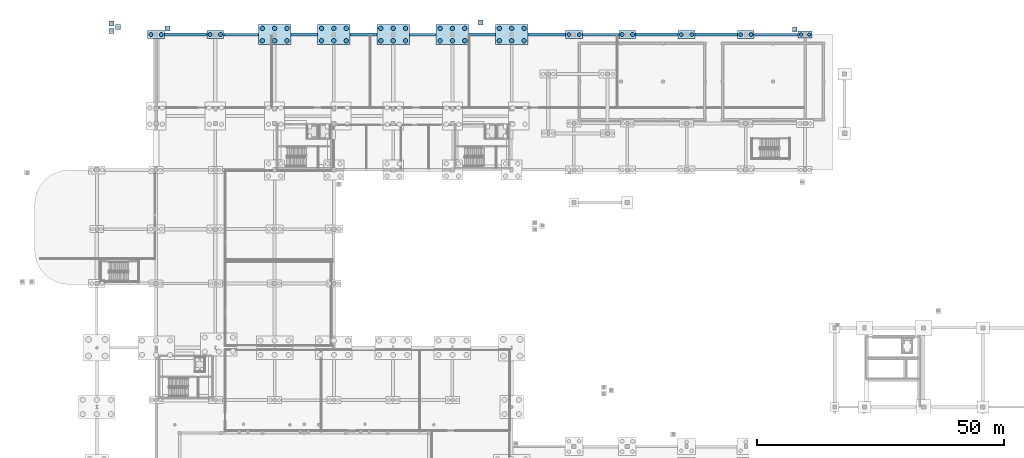
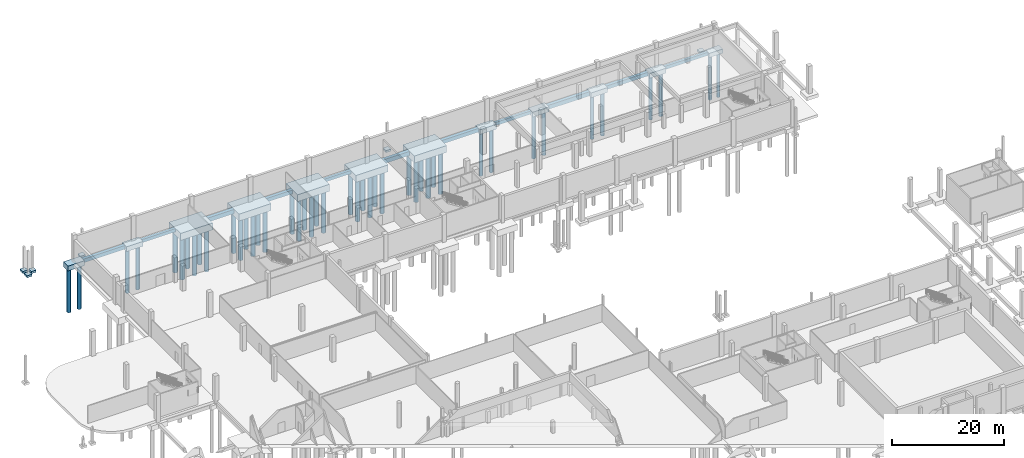
# One storey, part 8 of 42: 44 piles, 29 footings.
"""IFC4 building model written with IfcOpenShell, lengths in metres."""

from ifc_helpers import new_model, si_unit, direction, frame, origin, origin_2d, place, context, subcontext, project, spatial, rectangle, circle, extrude, material, material_profile, profile_set, type_object, element, save


model = new_model("IFC4")

# Units and contexts
model_context = context("Model", 3, precision=1e-05, world=origin(), true_north=direction((0.0, 1.0)))
body_context = subcontext(model_context, "Body", "Model", "MODEL_VIEW")
ifc_project = project(units=[si_unit("LENGTHUNIT", "METRE"), si_unit("AREAUNIT", "SQUARE_METRE"), si_unit("VOLUMEUNIT", "CUBIC_METRE"), si_unit("PLANEANGLEUNIT", "RADIAN"), si_unit("MASSUNIT", "GRAM", prefix="KILO"), si_unit("THERMODYNAMICTEMPERATUREUNIT", "KELVIN"), si_unit("POWERUNIT", "WATT")], contexts=[model_context])

# Site, building, storey
site_placement = place(None, origin())
site = spatial("IfcSite", under=ifc_project, at=site_placement, CompositionType="ELEMENT")
building_placement = place(site_placement, origin())
building = spatial("IfcBuilding", under=site, at=building_placement, Name="Solmara Park Aquatics Centre", CompositionType="ELEMENT")
storey_placement = place(building_placement, frame((0.0, 0.0, -5.39990234375)))
storey = spatial("IfcBuildingStorey", under=building, at=storey_placement, Name="B1", CompositionType="ELEMENT", Elevation=-5.39990234375)

# Footings
ifc_material = material(Name="Watertight Concrete C45/55", Category="concrete")
footing_type_1 = type_object("IfcFootingType", Name="STR-FB-500x700", PredefinedType="FOOTING_BEAM", material=ifc_material)
footing_1_placement = place(storey_placement, frame((41.800048828125, 136.0, -1.25), z_axis=(0.0, 0.0, 1.0), x_axis=(1.0, 0.0, 0.0)))
element("IfcFooting", 1, at=footing_1_placement, inside=storey, type_object=footing_type_1, Name="Ground Tie Beam FB-102", PredefinedType="FOOTING_BEAM", context=body_context, shape_type="SweptSolid", body=[
    extrude(rectangle(XDim=6.97998046875, YDim=0.5, at=origin_2d()), origin(), (0.0, 0.0, 1.0), 0.699951171875),
])
footing_2_placement = place(storey_placement, frame((78.60009765625, 136.0, -1.25), z_axis=(0.0, 0.0, 1.0), x_axis=(1.0, 0.0, 0.0)))
element("IfcFooting", 2, at=footing_2_placement, inside=storey, type_object=footing_type_1, Name="Ground Tie Beam FB-105", PredefinedType="FOOTING_BEAM", context=body_context, shape_type="SweptSolid", body=[
    extrude(rectangle(XDim=5.3798828125, YDim=0.5, at=origin_2d()), origin(), (0.0, 0.0, 1.0), 0.699951171875),
])
footing_3_placement = place(storey_placement, frame((114.60009765625, 136.0, -1.25), z_axis=(0.0, 0.0, 1.0), x_axis=(1.0, 0.0, 0.0)))
element("IfcFooting", 3, at=footing_3_placement, inside=storey, type_object=footing_type_1, Name="Ground Tie Beam FB-108", PredefinedType="FOOTING_BEAM", context=body_context, shape_type="SweptSolid", body=[
    extrude(rectangle(XDim=7.3798828125, YDim=0.5, at=origin_2d()), origin(), (0.0, 0.0, 1.0), 0.699951171875),
])
footing_4_placement = place(storey_placement, frame((150.14990234375, 136.0, -1.25), z_axis=(0.0, 0.0, 1.0), x_axis=(1.0, 0.0, 0.0)))
element("IfcFooting", 4, at=footing_4_placement, inside=storey, type_object=footing_type_1, Name="Ground Tie Beam FB-111", PredefinedType="FOOTING_BEAM", context=body_context, shape_type="SweptSolid", body=[
    extrude(rectangle(XDim=8.8798828125, YDim=0.5, at=origin_2d()), origin(), (0.0, 0.0, 1.0), 0.699951171875),
])
footing_type_2 = type_object("IfcFootingType", Name="STR-FB-600x800", PredefinedType="FOOTING_BEAM", material=ifc_material)
footing_5_placement = place(storey_placement, frame((30.60009765625, 136.0, -1.35009765625), z_axis=(0.0, 0.0, 1.0), x_axis=(1.0, 0.0, 0.0)))
element("IfcFooting", 5, at=footing_5_placement, inside=storey, type_object=footing_type_2, Name="Ground Tie Beam FB-101", PredefinedType="FOOTING_BEAM", context=body_context, shape_type="SweptSolid", body=[
    extrude(rectangle(XDim=8.580078125, YDim=0.60009765625, at=origin_2d()), origin(), (0.0, 0.0, 1.0), 0.800048828125),
])
footing_6_placement = place(storey_placement, frame((66.60009765625, 136.0, -1.35009765625), z_axis=(0.0, 0.0, 1.0), x_axis=(1.0, 0.0, 0.0)))
element("IfcFooting", 6, at=footing_6_placement, inside=storey, type_object=footing_type_2, Name="Ground Tie Beam FB-104", PredefinedType="FOOTING_BEAM", context=body_context, shape_type="SweptSolid", body=[
    extrude(rectangle(XDim=5.3798828125, YDim=0.60009765625, at=origin_2d()), origin(), (0.0, 0.0, 1.0), 0.800048828125),
])
footing_7_placement = place(storey_placement, frame((103.699951171875, 136.0, -1.35009765625), z_axis=(0.0, 0.0, 1.0), x_axis=(1.0, 0.0, 0.0)))
element("IfcFooting", 7, at=footing_7_placement, inside=storey, type_object=footing_type_2, Name="Ground Tie Beam FB-107", PredefinedType="FOOTING_BEAM", context=body_context, shape_type="SweptSolid", body=[
    extrude(rectangle(XDim=7.580078125, YDim=0.60009765625, at=origin_2d()), origin(), (0.0, 0.0, 1.0), 0.800048828125),
])
footing_8_placement = place(storey_placement, frame((138.0, 136.0, -1.35009765625), z_axis=(0.0, 0.0, 1.0), x_axis=(1.0, 0.0, 0.0)))
element("IfcFooting", 8, at=footing_8_placement, inside=storey, type_object=footing_type_2, Name="Ground Tie Beam FB-110", PredefinedType="FOOTING_BEAM", context=body_context, shape_type="SweptSolid", body=[
    extrude(rectangle(XDim=8.580078125, YDim=0.60009765625, at=origin_2d()), origin(), (0.0, 0.0, 1.0), 0.800048828125),
])
footing_type_3 = type_object("IfcFootingType", Name="STR-FB-650x900", PredefinedType="FOOTING_BEAM", material=ifc_material)
for number, where, z_axis, x_axis, name in (
    (9, (54.60009765625, 136.0, -1.449951171875), (0.0, 0.0, 1.0), (1.0, 0.0, 0.0), "Ground Tie Beam FB-103"),
    (10, (90.60009765625, 136.0, -1.449951171875), (0.0, 0.0, 1.0), (1.0, 0.0, 0.0), "Ground Tie Beam FB-106"),
):
    element("IfcFooting", number, at=place(storey_placement, frame(where, z_axis=z_axis, x_axis=x_axis)), inside=storey, type_object=footing_type_3, Name=name, PredefinedType="FOOTING_BEAM", context=body_context, shape_type="SweptSolid", body=[
        extrude(rectangle(XDim=5.3798828125, YDim=0.64990234375, at=origin_2d()), origin(), (0.0, 0.0, 1.0), 0.89990234375),
    ])
footing_9_placement = place(storey_placement, frame((126.0, 136.0, -1.449951171875), z_axis=(0.0, 0.0, 1.0), x_axis=(1.0, 0.0, 0.0)))
element("IfcFooting", 11, at=footing_9_placement, inside=storey, type_object=footing_type_3, Name="Ground Tie Beam FB-109", PredefinedType="FOOTING_BEAM", context=body_context, shape_type="SweptSolid", body=[
    extrude(rectangle(XDim=8.580078125, YDim=0.64990234375, at=origin_2d()), origin(), (0.0, 0.0, 1.0), 0.89990234375),
])
footing_type_4 = type_object("IfcFootingType", Name="STR-PC-2P600", PredefinedType="PILE_CAP", material=ifc_material)
footing_10_placement = place(storey_placement, frame((156.0, 136.0, -1.449951171875), z_axis=(0.0, 0.0, 1.0), x_axis=(1.0, 0.0, 0.0)))
element("IfcFooting", 12, at=footing_10_placement, inside=storey, type_object=footing_type_4, Name="Pile Cap PC-108", PredefinedType="PILE_CAP", context=body_context, shape_type="SweptSolid", body=[
    extrude(rectangle(XDim=2.800048828125, YDim=1.39990234375, at=origin_2d()), origin(), (0.0, 0.0, 1.0), 0.89990234375),
])
footing_type_5 = type_object("IfcFootingType", Name="STR-PC-2P750", PredefinedType="PILE_CAP", material=ifc_material)
for number, where, z_axis, x_axis, name in (
    (13, (24.60009765625, 136.0, -1.60009765625), (0.0, 0.0, 1.0), (1.0, 0.0, 0.0), "Pile Cap PC-018"),
    (14, (36.60009765625, 136.0, -1.60009765625), (0.0, 0.0, 1.0), (1.0, 0.0, 0.0), "Pile Cap PC-027"),
    (15, (109.199951171875, 136.0, -1.60009765625), (0.0, 0.0, 1.0), (1.0, 0.0, 0.0), "Pile Cap PC-077"),
    (16, (120.0, 136.0, -1.60009765625), (0.0, 0.0, 1.0), (1.0, 0.0, 0.0), "Pile Cap PC-087"),
    (17, (132.0, 136.0, -1.60009765625), (0.0, 0.0, 1.0), (1.0, 0.0, 0.0), "Pile Cap PC-094"),
    (18, (144.0, 136.0, -1.60009765625), (0.0, 0.0, 1.0), (1.0, 0.0, 0.0), "Pile Cap PC-101"),
):
    element("IfcFooting", number, at=place(storey_placement, frame(where, z_axis=z_axis, x_axis=x_axis)), inside=storey, type_object=footing_type_5, Name=name, PredefinedType="PILE_CAP", context=body_context, shape_type="SweptSolid", body=[
        extrude(rectangle(XDim=3.39990234375, YDim=1.60009765625, at=origin_2d()), origin(), (0.0, 0.0, 1.0), 1.050048828125),
    ])
footing_type_6 = type_object("IfcFootingType", Name="STR-PC-6P900", PredefinedType="PILE_CAP", material=ifc_material)
for number, where, z_axis, x_axis, name in (
    (19, (48.60009765625, 136.0, -2.050048828125), (0.0, 0.0, 1.0), (1.0, 0.0, 0.0), "Pile Cap PC-036"),
    (20, (60.60009765625, 136.0, -2.050048828125), (0.0, 0.0, 1.0), (1.0, 0.0, 0.0), "Pile Cap PC-045"),
    (21, (72.60009765625, 136.0, -2.050048828125), (0.0, 0.0, 1.0), (1.0, 0.0, 0.0), "Pile Cap PC-052"),
    (22, (84.60009765625, 136.0, -2.050048828125), (0.0, 0.0, 1.0), (1.0, 0.0, 0.0), "Pile Cap PC-059"),
    (23, (96.60009765625, 136.0, -2.050048828125), (0.0, 0.0, 1.0), (1.0, 0.0, 0.0), "Pile Cap PC-068"),
):
    element("IfcFooting", number, at=place(storey_placement, frame(where, z_axis=z_axis, x_axis=x_axis)), inside=storey, type_object=footing_type_6, Name=name, PredefinedType="PILE_CAP", context=body_context, shape_type="SweptSolid", body=[
        extrude(rectangle(XDim=6.60009765625, YDim=4.10009765625, at=origin_2d()), origin(), (0.0, 0.0, 1.0), 1.5),
    ])
footing_type_7 = type_object("IfcFootingType", Name="STR-PF-1000", PredefinedType="PAD_FOOTING", material=ifc_material)
for number, where, z_axis, x_axis, name in (
    (24, (26.89990234375, 137.199951171875, -1.0), (0.0, 0.0, 1.0), (1.0, 0.0, 0.0), "Apron Foundation Pier SLB-L00-APR-N-1 Footing"),
    (25, (153.89990234375, 137.0, -1.0), (0.0, 0.0, 1.0), (1.0, 0.0, 0.0), "Apron Foundation Pier SLB-L00-APR-N-2 Footing"),
    (26, (90.300048828125, 138.449951171875, -1.0), (0.0, 0.0, 1.0), (1.0, 0.0, 0.0), "Apron Foundation Pier SLB-L00-APR-N-3 Footing"),
    (27, (15.60009765625, 136.75, -1.0), (0.0, 0.0, 1.0), (1.0, 0.0, 0.0), "Wellness Boulevard Accessible Ramp Foundation Pier 1 Footing"),
    (28, (15.60009765625, 138.25, -1.0), (0.0, 0.0, 1.0), (1.0, 0.0, 0.0), "Wellness Boulevard Accessible Ramp Foundation Pier 2 Footing"),
    (29, (16.89990234375, 137.5, -1.0), (0.0, 0.0, 1.0), (1.0, 0.0, 0.0), "Wellness Boulevard Accessible Ramp Foundation Pier 3 Footing"),
):
    element("IfcFooting", number, at=place(storey_placement, frame(where, z_axis=z_axis, x_axis=x_axis)), inside=storey, type_object=footing_type_7, Name=name, PredefinedType="PAD_FOOTING", context=body_context, shape_type="SweptSolid", body=[
        extrude(rectangle(XDim=1.0, YDim=1.0, at=origin_2d()), origin(), (0.0, 0.0, 1.0), 0.449951171875),
    ])

# Piles
ifc_material_profile_1 = material_profile(ifc_material, circle(Radius=0.324951171875, at=origin_2d()), Name="BORED PILE D650")
ifc_profile_set_1 = profile_set([ifc_material_profile_1], Name="Watertight Concrete C45/55")
pile_type_1 = type_object("IfcPileType", Name="STR-PILE-D650", PredefinedType="BORED", material=ifc_profile_set_1)
for number, where, z_axis, x_axis, name in (
    (30, (155.14990234375, 136.0, -1.35009765625), (0.0, 0.0, -1.0), (1.0, 0.0, 0.0), "Bored Pile PL-0359"),
    (31, (156.85009765625, 136.0, -1.35009765625), (0.0, 0.0, -1.0), (1.0, 0.0, 0.0), "Bored Pile PL-0360"),
):
    element("IfcPile", number, at=place(storey_placement, frame(where, z_axis=z_axis, x_axis=x_axis)), inside=storey, type_object=pile_type_1, Name=name, PredefinedType="BORED", context=body_context, shape_type="SweptSolid", body=[
        extrude(circle(Radius=0.324951171875, at=origin_2d()), origin(), (0.0, 0.0, 1.0), 9.75),
    ])
ifc_material_profile_2 = material_profile(ifc_material, circle(Radius=0.375, at=origin_2d()), Name="BORED PILE D750")
ifc_profile_set_2 = profile_set([ifc_material_profile_2], Name="Watertight Concrete C45/55")
pile_type_2 = type_object("IfcPileType", Name="STR-PILE-D750", PredefinedType="BORED", material=ifc_profile_set_2)
for number, where, z_axis, x_axis, name in (
    (32, (108.14990234375, 136.0, -1.5), (0.0, 0.0, -1.0), (1.0, 0.0, 0.0), "Bored Pile PL-0271"),
    (33, (110.25, 136.0, -1.5), (0.0, 0.0, -1.0), (1.0, 0.0, 0.0), "Bored Pile PL-0272"),
    (34, (130.949951171875, 136.0, -1.5), (0.0, 0.0, -1.0), (1.0, 0.0, 0.0), "Bored Pile PL-0319"),
    (35, (133.050048828125, 136.0, -1.5), (0.0, 0.0, -1.0), (1.0, 0.0, 0.0), "Bored Pile PL-0320"),
    (36, (142.949951171875, 136.0, -1.5), (0.0, 0.0, -1.0), (1.0, 0.0, 0.0), "Bored Pile PL-0339"),
    (37, (145.050048828125, 136.0, -1.5), (0.0, 0.0, -1.0), (1.0, 0.0, 0.0), "Bored Pile PL-0340"),
):
    element("IfcPile", number, at=place(storey_placement, frame(where, z_axis=z_axis, x_axis=x_axis)), inside=storey, type_object=pile_type_2, Name=name, PredefinedType="BORED", context=body_context, shape_type="SweptSolid", body=[
        extrude(circle(Radius=0.375, at=origin_2d()), origin(), (0.0, 0.0, 1.0), 9.60009765625),
    ])
ifc_material_profile_3 = material_profile(ifc_material, circle(Radius=0.39990234375, at=origin_2d()), Name="BORED PILE D800")
ifc_profile_set_3 = profile_set([ifc_material_profile_3], Name="Watertight Concrete C45/55")
pile_type_3 = type_object("IfcPileType", Name="STR-PILE-D800", PredefinedType="BORED", material=ifc_profile_set_3)
for number, where, z_axis, x_axis, name in (
    (38, (23.550048828125, 136.0, -1.5), (0.0, 0.0, -1.0), (1.0, 0.0, 0.0), "Bored Pile PL-0059"),
    (39, (25.64990234375, 136.0, -1.5), (0.0, 0.0, -1.0), (1.0, 0.0, 0.0), "Bored Pile PL-0060"),
    (40, (35.550048828125, 136.0, -1.5), (0.0, 0.0, -1.0), (1.0, 0.0, 0.0), "Bored Pile PL-0085"),
    (41, (37.64990234375, 136.0, -1.5), (0.0, 0.0, -1.0), (1.0, 0.0, 0.0), "Bored Pile PL-0086"),
    (42, (118.949951171875, 136.0, -1.5), (0.0, 0.0, -1.0), (1.0, 0.0, 0.0), "Bored Pile PL-0299"),
    (43, (121.050048828125, 136.0, -1.5), (0.0, 0.0, -1.0), (1.0, 0.0, 0.0), "Bored Pile PL-0300"),
):
    element("IfcPile", number, at=place(storey_placement, frame(where, z_axis=z_axis, x_axis=x_axis)), inside=storey, type_object=pile_type_3, Name=name, PredefinedType="BORED", context=body_context, shape_type="SweptSolid", body=[
        extrude(circle(Radius=0.39990234375, at=origin_2d()), origin(), (0.0, 0.0, 1.0), 9.60009765625),
    ])
ifc_material_profile_4 = material_profile(ifc_material, circle(Radius=0.449951171875, at=origin_2d()), Name="BORED PILE D900")
ifc_profile_set_4 = profile_set([ifc_material_profile_4], Name="Watertight Concrete C45/55")
pile_type_4 = type_object("IfcPileType", Name="STR-PILE-D900", PredefinedType="BORED", material=ifc_profile_set_4)
for number, where, z_axis, x_axis, name in (
    (44, (46.10009765625, 134.75, -1.9501953125), (0.0, 0.0, -1.0), (1.0, 0.0, 0.0), "Bored Pile PL-0113"),
    (45, (48.60009765625, 134.75, -1.9501953125), (0.0, 0.0, -1.0), (1.0, 0.0, 0.0), "Bored Pile PL-0114"),
    (46, (51.10009765625, 134.75, -1.9501953125), (0.0, 0.0, -1.0), (1.0, 0.0, 0.0), "Bored Pile PL-0115"),
    (47, (46.10009765625, 137.25, -1.9501953125), (0.0, 0.0, -1.0), (1.0, 0.0, 0.0), "Bored Pile PL-0116"),
    (48, (48.60009765625, 137.25, -1.9501953125), (0.0, 0.0, -1.0), (1.0, 0.0, 0.0), "Bored Pile PL-0117"),
    (49, (51.10009765625, 137.25, -1.9501953125), (0.0, 0.0, -1.0), (1.0, 0.0, 0.0), "Bored Pile PL-0118"),
    (50, (58.10009765625, 134.75, -1.9501953125), (0.0, 0.0, -1.0), (1.0, 0.0, 0.0), "Bored Pile PL-0145"),
    (51, (60.60009765625, 134.75, -1.9501953125), (0.0, 0.0, -1.0), (1.0, 0.0, 0.0), "Bored Pile PL-0146"),
    (52, (63.10009765625, 134.75, -1.9501953125), (0.0, 0.0, -1.0), (1.0, 0.0, 0.0), "Bored Pile PL-0147"),
    (53, (58.10009765625, 137.25, -1.9501953125), (0.0, 0.0, -1.0), (1.0, 0.0, 0.0), "Bored Pile PL-0148"),
    (54, (60.60009765625, 137.25, -1.9501953125), (0.0, 0.0, -1.0), (1.0, 0.0, 0.0), "Bored Pile PL-0149"),
    (55, (63.10009765625, 137.25, -1.9501953125), (0.0, 0.0, -1.0), (1.0, 0.0, 0.0), "Bored Pile PL-0150"),
    (56, (70.10009765625, 134.75, -1.9501953125), (0.0, 0.0, -1.0), (1.0, 0.0, 0.0), "Bored Pile PL-0173"),
    (57, (72.60009765625, 134.75, -1.9501953125), (0.0, 0.0, -1.0), (1.0, 0.0, 0.0), "Bored Pile PL-0174"),
    (58, (75.10009765625, 134.75, -1.9501953125), (0.0, 0.0, -1.0), (1.0, 0.0, 0.0), "Bored Pile PL-0175"),
    (59, (70.10009765625, 137.25, -1.9501953125), (0.0, 0.0, -1.0), (1.0, 0.0, 0.0), "Bored Pile PL-0176"),
    (60, (72.60009765625, 137.25, -1.9501953125), (0.0, 0.0, -1.0), (1.0, 0.0, 0.0), "Bored Pile PL-0177"),
    (61, (75.10009765625, 137.25, -1.9501953125), (0.0, 0.0, -1.0), (1.0, 0.0, 0.0), "Bored Pile PL-0178"),
    (62, (82.10009765625, 134.75, -1.9501953125), (0.0, 0.0, -1.0), (1.0, 0.0, 0.0), "Bored Pile PL-0201"),
    (63, (84.60009765625, 134.75, -1.9501953125), (0.0, 0.0, -1.0), (1.0, 0.0, 0.0), "Bored Pile PL-0202"),
    (64, (87.10009765625, 134.75, -1.9501953125), (0.0, 0.0, -1.0), (1.0, 0.0, 0.0), "Bored Pile PL-0203"),
    (65, (82.10009765625, 137.25, -1.9501953125), (0.0, 0.0, -1.0), (1.0, 0.0, 0.0), "Bored Pile PL-0204"),
    (66, (84.60009765625, 137.25, -1.9501953125), (0.0, 0.0, -1.0), (1.0, 0.0, 0.0), "Bored Pile PL-0205"),
    (67, (87.10009765625, 137.25, -1.9501953125), (0.0, 0.0, -1.0), (1.0, 0.0, 0.0), "Bored Pile PL-0206"),
    (68, (94.10009765625, 134.75, -1.9501953125), (0.0, 0.0, -1.0), (1.0, 0.0, 0.0), "Bored Pile PL-0243"),
    (69, (96.60009765625, 134.75, -1.9501953125), (0.0, 0.0, -1.0), (1.0, 0.0, 0.0), "Bored Pile PL-0244"),
    (70, (99.10009765625, 134.75, -1.9501953125), (0.0, 0.0, -1.0), (1.0, 0.0, 0.0), "Bored Pile PL-0245"),
    (71, (94.10009765625, 137.25, -1.9501953125), (0.0, 0.0, -1.0), (1.0, 0.0, 0.0), "Bored Pile PL-0246"),
    (72, (96.60009765625, 137.25, -1.9501953125), (0.0, 0.0, -1.0), (1.0, 0.0, 0.0), "Bored Pile PL-0247"),
    (73, (99.10009765625, 137.25, -1.9501953125), (0.0, 0.0, -1.0), (1.0, 0.0, 0.0), "Bored Pile PL-0248"),
):
    element("IfcPile", number, at=place(storey_placement, frame(where, z_axis=z_axis, x_axis=x_axis)), inside=storey, type_object=pile_type_4, Name=name, PredefinedType="BORED", context=body_context, shape_type="SweptSolid", body=[
        extrude(circle(Radius=0.449951171875, at=origin_2d()), origin(), (0.0, 0.0, 1.0), 9.14990234375),
    ])

save(model, "model.ifc")
